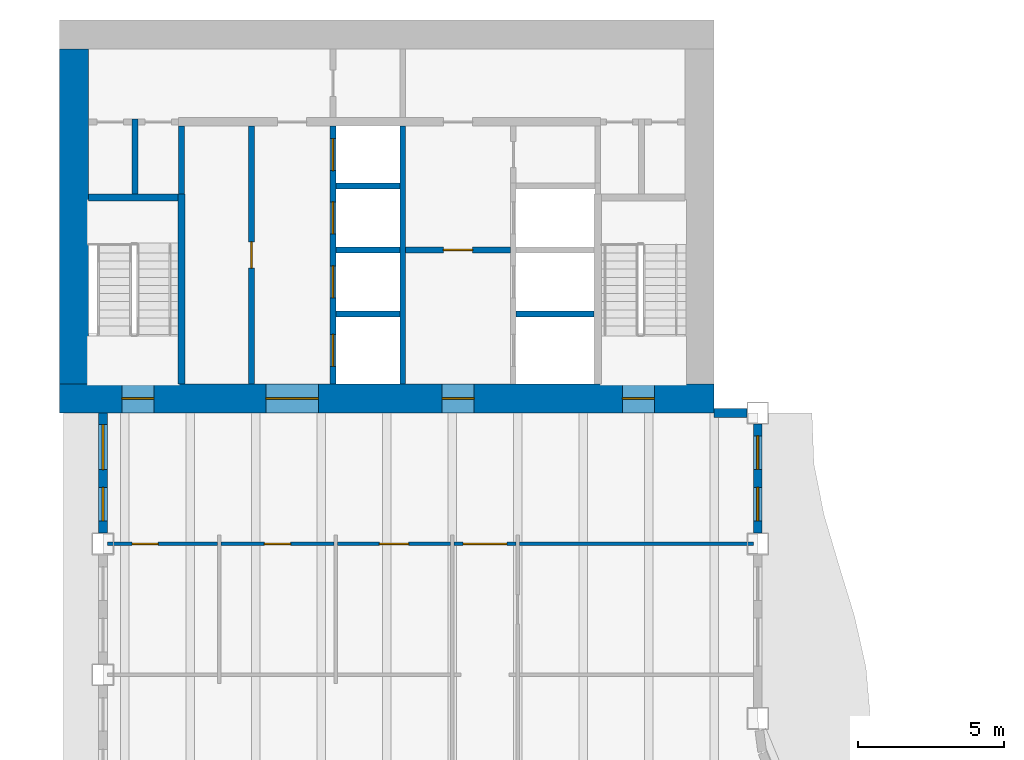
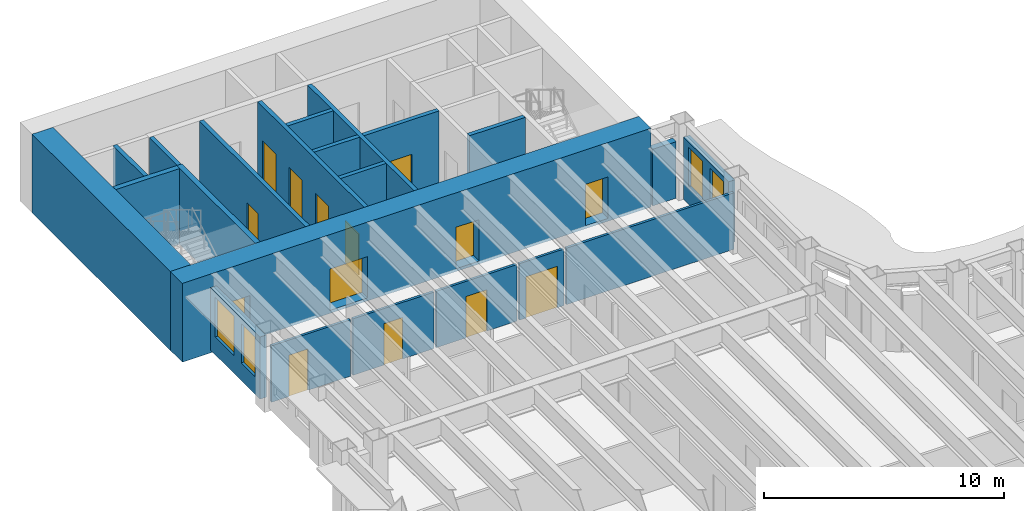
# One storey, part 8 of 16: 22 walls, 14 doors, 4 windows, 18 openings.
"""IFC4 building model written with IfcOpenShell, lengths in metres."""

import ifcopenshell
import ifcopenshell.guid

model = None  # the IFC model being written
_history = None  # IfcOwnerHistory: only IFC2X3 demands one
_inside = {}  # id of a spatial element -> (the spatial element, [elements in it])
_under = {}  # id of a project, library or spatial element -> (it, [spatial elements below it])
_declared = {}  # id of a project -> (the project, [libraries it declares])
_typed = {}  # id of a type object -> (the type object, [elements of that type])
_made_of = {}  # id of a material, layer set ... -> (it, [elements and type objects made of it])


def new_model(schema):
    """Start an empty IFC model of exactly this schema.

    Asked for "IFC4X3", IfcOpenShell would pick the latest addendum, in which some entities
    have other attributes; the version numbers below select the first issue.
    IFC2X3 requires an IfcOwnerHistory on every rooted entity: one is made here for all.
    """
    global model, _history
    if schema == "IFC4X3":
        model = ifcopenshell.file(schema_version=(4, 3, 0, 0))
    else:
        model = ifcopenshell.file(schema=schema)
    _inside.clear()
    _under.clear()
    _declared.clear()
    _typed.clear()
    _made_of.clear()
    _history = None
    if model.schema == "IFC2X3":
        org = make("IfcOrganization", Name="unknown")
        user = make(
            "IfcPersonAndOrganization",
            ThePerson=make("IfcPerson", FamilyName="unknown"),
            TheOrganization=org,
        )
        app = make(
            "IfcApplication",
            ApplicationDeveloper=org,
            Version="unknown",
            ApplicationFullName="unknown",
            ApplicationIdentifier="unknown",
        )
        _history = make(
            "IfcOwnerHistory",
            OwningUser=user,
            OwningApplication=app,
            ChangeAction="ADDED",
            CreationDate=0,
        )
    return model


def make(cls, **values):
    """One entity of the class cls with the attributes given. An attribute that is None is left unset."""
    return model.create_entity(
        cls, **{name: value for name, value in values.items() if value is not None}
    )


def rooted(cls, **values):
    """An entity with a GlobalId (a new one), such as an element, a storey or a relation."""
    return make(cls, GlobalId=ifcopenshell.guid.new(), OwnerHistory=_history, **values)


def si_unit(unit_type, name, prefix=None):
    """IfcSIUnit, for example si_unit("LENGTHUNIT", "METRE", prefix="MILLI")."""
    return make("IfcSIUnit", UnitType=unit_type, Prefix=prefix, Name=name)


def assignment(units):
    """IfcUnitAssignment: the units of a project."""
    return None if units is None else make("IfcUnitAssignment", Units=units)


def point(xyz):
    """IfcCartesianPoint."""
    return None if xyz is None else make("IfcCartesianPoint", Coordinates=xyz)


def direction(xyz):
    """IfcDirection."""
    return None if xyz is None else make("IfcDirection", DirectionRatios=xyz)


def frame(location, z_axis=None, x_axis=None):
    """IfcAxis2Placement3D, a coordinate frame: its origin and axes. An axis left out is left unset."""
    return make(
        "IfcAxis2Placement3D",
        Location=point(location),
        Axis=direction(z_axis),
        RefDirection=direction(x_axis),
    )


def frame_2d(location, x_axis=None):
    """IfcAxis2Placement2D, a coordinate frame in the plane: its origin and x axis."""
    return make(
        "IfcAxis2Placement2D", Location=point(location), RefDirection=direction(x_axis)
    )


def origin():
    """The frame at (0, 0, 0) with its axes left unset."""
    return frame((0.0, 0.0, 0.0))


def place(relative_to, where):
    """IfcLocalPlacement: puts the frame where relative to a parent placement (None: the world)."""
    return make(
        "IfcLocalPlacement", PlacementRelTo=relative_to, RelativePlacement=where
    )


def context(
    kind, dimensions, precision=None, world=None, true_north=None, identifier=None
):
    """IfcGeometricRepresentationContext, for example the 3D "Model" context."""
    return make(
        "IfcGeometricRepresentationContext",
        ContextIdentifier=identifier,
        ContextType=kind,
        CoordinateSpaceDimension=dimensions,
        Precision=precision,
        WorldCoordinateSystem=world,
        TrueNorth=true_north,
    )


def subcontext(parent, identifier, kind, view, scale=None):
    """IfcGeometricRepresentationSubContext, for example "Body" below "Model"."""
    return make(
        "IfcGeometricRepresentationSubContext",
        ContextIdentifier=identifier,
        ContextType=kind,
        ParentContext=parent,
        TargetScale=scale,
        TargetView=view,
    )


def project(units=None, contexts=None):
    """IfcProject with its units and contexts."""
    return rooted(
        "IfcProject",
        Name="project",
        RepresentationContexts=contexts,
        UnitsInContext=assignment(units),
    )


def spatial(cls, under=None, at=None, **own):
    """A site, building, storey or space (cls), placed at a placement, below another one or the project."""
    s = rooted(cls, ObjectPlacement=at, **own)
    if under is not None:
        _under.setdefault(under.id(), (under, []))[1].append(s)
    return s


def profile(cls, at=None, kind="AREA", **sizes):
    """A parametric profile (cls). Its sizes go by their IFC names, for example OverallWidth=200.0."""
    return make(cls, ProfileType=kind, Position=at, **sizes)


def rectangle(**sizes):
    """IfcRectangleProfileDef."""
    return profile("IfcRectangleProfileDef", **sizes)


def extrude(swept, where, along, depth):
    """IfcExtrudedAreaSolid: the profile swept, set in the frame where, extruded along a direction by depth."""
    return make(
        "IfcExtrudedAreaSolid",
        SweptArea=swept,
        Position=where,
        ExtrudedDirection=direction(along),
        Depth=depth,
    )


def shape(context_of_items, identifier, shape_type, items):
    """IfcShapeRepresentation: the items that make up one representation, for example the "Body"."""
    return make(
        "IfcShapeRepresentation",
        ContextOfItems=context_of_items,
        RepresentationIdentifier=identifier,
        RepresentationType=shape_type,
        Items=items,
    )


def material(Name=None, Category=None):
    """IfcMaterial."""
    return make("IfcMaterial", Name=Name, Category=Category)


def layer(
    of_material, thickness, ventilated=None, Name=None, Category=None, Priority=None
):
    """IfcMaterialLayer: one layer of a wall or slab, of a material (None: an air gap)."""
    return make(
        "IfcMaterialLayer",
        Material=of_material,
        LayerThickness=thickness,
        IsVentilated=ventilated,
        Name=Name,
        Category=Category,
        Priority=Priority,
    )


def layer_set(layers, Name=None):
    """IfcMaterialLayerSet."""
    return make("IfcMaterialLayerSet", MaterialLayers=layers, LayerSetName=Name)


def made_of(thing, what):
    """Note that an element or type object is made of a material, layer set ...; save() writes the relation."""
    if what is not None:
        _made_of.setdefault(what.id(), (what, []))[1].append(thing)
    return thing


def type_object(cls, material=None, **own):
    """A type object (cls), such as IfcWallType, which elements share."""
    return made_of(rooted(cls, **own), material)


def element(
    cls,
    number,
    at=None,
    inside=None,
    cuts=None,
    type_object=None,
    material=None,
    context=None,
    identifier="Body",
    shape_type=None,
    held_by="IfcProductDefinitionShape",
    body=None,
    shapes=None,
    **own,
):
    """One element of the class cls, such as IfcWall. Its Tag is "e" and its number.

    at: its placement. inside: the storey or other place that contains it. cuts: it is an
    opening in that element (IfcRelVoidsElement). A single representation is given by context,
    identifier, shape_type and body (its items); several are given by shapes. held_by: the class
    of the entity that holds the representations. save() writes the other relations.
    """
    e = rooted(cls, Tag="e%d" % number, ObjectPlacement=at, **own)
    if body is not None:
        shapes = [shape(context, identifier, shape_type, body)]
    if shapes is not None:
        e.Representation = make(held_by, Representations=shapes)
    if inside is not None:
        _inside.setdefault(inside.id(), (inside, []))[1].append(e)
    if cuts is not None:
        rooted(
            "IfcRelVoidsElement", RelatingBuildingElement=cuts, RelatedOpeningElement=e
        )
    if type_object is not None:
        _typed.setdefault(type_object.id(), (type_object, []))[1].append(e)
    return made_of(e, material)


def fill(opening, filler):
    """IfcRelFillsElement: the door or window that sits in an opening."""
    return rooted(
        "IfcRelFillsElement",
        RelatingOpeningElement=opening,
        RelatedBuildingElement=filler,
    )


def aggregate(whole, parts):
    """IfcRelAggregates: a whole, such as a stair, and the parts it consists of."""
    return rooted("IfcRelAggregates", RelatingObject=whole, RelatedObjects=parts)


def save(model, path):
    """Write the relations noted so far, then the file.

    IfcRelAggregates (storeys below a building ...), IfcRelContainedInSpatialStructure (elements
    in a storey), IfcRelDefinesByType, IfcRelAssociatesMaterial and IfcRelDeclares: one each for
    every whole, place, type object, material and project.
    """
    for whole, parts in _under.values():
        aggregate(whole, parts)
    for where, things in _inside.values():
        rooted(
            "IfcRelContainedInSpatialStructure",
            RelatedElements=things,
            RelatingStructure=where,
        )
    for kind, things in _typed.values():
        rooted("IfcRelDefinesByType", RelatedObjects=things, RelatingType=kind)
    for what, things in _made_of.values():
        rooted("IfcRelAssociatesMaterial", RelatedObjects=things, RelatingMaterial=what)
    for by, libraries in _declared.values():
        rooted("IfcRelDeclares", RelatingContext=by, RelatedDefinitions=libraries)
    model.write(path)


model = new_model("IFC4")

# Units and contexts
model_context = context("Model", 3, precision=1e-05, world=origin(), true_north=direction((0.0, 1.0)))
body_context = subcontext(model_context, "Body", "Model", "MODEL_VIEW")
ifc_project = project(units=[si_unit("LENGTHUNIT", "METRE"), si_unit("AREAUNIT", "SQUARE_METRE"), si_unit("VOLUMEUNIT", "CUBIC_METRE"), si_unit("PLANEANGLEUNIT", "RADIAN"), si_unit("MASSUNIT", "GRAM", prefix="KILO")], contexts=[model_context])

# Site, building, storey
site_placement = place(None, origin())
site = spatial("IfcSite", under=ifc_project, at=site_placement, CompositionType="ELEMENT")
building_placement = place(site_placement, origin())
building = spatial("IfcBuilding", under=site, at=building_placement, Name="Sennacour Bend Tower", CompositionType="ELEMENT")
storey_placement = place(building_placement, frame((0.0, 0.0, 231.0)))
storey = spatial("IfcBuildingStorey", under=building, at=storey_placement, Name="L53", CompositionType="ELEMENT", Elevation=231.0)

# Wall, openings, doors
ifc_material_1 = material(Name="Concrete C60/75", Category="concrete")
ifc_layer_1 = layer(ifc_material_1, 1.0, Name="Concrete C60/75", Category="concrete")
ifc_layer_set_1 = layer_set([ifc_layer_1], Name="Concrete C60/75")
wall_type_1 = type_object("IfcWallType", Name="Core wall 1000 C60/75", PredefinedType="SHEAR", material=ifc_layer_set_1)
wall_1_placement = place(storey_placement, frame((0.0, 36.5, -0.14990234375), z_axis=(0.0, 0.0, 1.0), x_axis=(1.0, 0.0, 0.0)))
wall_1 = element("IfcWall", 1, at=wall_1_placement, inside=storey, type_object=wall_type_1, Name="Core B wall L53 S", PredefinedType="SHEAR", context=body_context, shape_type="SweptSolid", body=[
    extrude(rectangle(XDim=22.5, YDim=1.0, at=frame_2d((11.25, 0.0))), origin(), (0.0, 0.0, 1.0), 4.0),
])
opening_1_placement = place(wall_1_placement, frame((7.10009765625, 0.0, 0.14990234375)))
opening_1 = element("IfcOpeningElement", 2, at=opening_1_placement, cuts=wall_1, Name="Opening CD", PredefinedType="OPENING", context=body_context, shape_type="SweptSolid", body=[
    extrude(rectangle(XDim=1.800048828125, YDim=2.10009765625, at=frame_2d((0.89990234375, 1.050048828125))), frame((0.0, 0.510009765625, 0.0), z_axis=(0.0, -1.0, 0.0), x_axis=(1.0, 0.0, 0.0)), (0.0, 0.0, 1.0), 1.02001953125),
])
opening_2_placement = place(wall_1_placement, frame((13.14990234375, 0.0, 0.14990234375)))
opening_2 = element("IfcOpeningElement", 3, at=opening_2_placement, cuts=wall_1, Name="Opening FD", PredefinedType="OPENING", context=body_context, shape_type="SweptSolid", body=[
    extrude(rectangle(XDim=1.10009765625, YDim=2.10009765625, at=frame_2d((0.550048828125, 1.050048828125))), frame((0.0, 0.510009765625, 0.0), z_axis=(0.0, -1.0, 0.0), x_axis=(1.0, 0.0, 0.0)), (0.0, 0.0, 1.0), 1.02001953125),
])
opening_3_placement = place(wall_1_placement, frame((2.14990234375, 0.0, 0.14990234375)))
opening_3 = element("IfcOpeningElement", 4, at=opening_3_placement, cuts=wall_1, Name="Opening SD", PredefinedType="OPENING", context=body_context, shape_type="SweptSolid", body=[
    extrude(rectangle(XDim=1.10009765625, YDim=2.10009765625, at=frame_2d((0.550048828125, 1.050048828125))), frame((0.0, 0.510009765625, 0.0), z_axis=(0.0, -1.0, 0.0), x_axis=(1.0, 0.0, 0.0)), (0.0, 0.0, 1.0), 1.02001953125),
])
opening_4_placement = place(wall_1_placement, frame((19.35009765625, 0.0, 0.14990234375)))
opening_4 = element("IfcOpeningElement", 5, at=opening_4_placement, cuts=wall_1, Name="Opening SD", PredefinedType="OPENING", context=body_context, shape_type="SweptSolid", body=[
    extrude(rectangle(XDim=1.10009765625, YDim=2.10009765625, at=frame_2d((0.550048828125, 1.050048828125))), frame((0.0, 0.510009765625, 0.0), z_axis=(0.0, -1.0, 0.0), x_axis=(1.0, 0.0, 0.0)), (0.0, 0.0, 1.0), 1.02001953125),
])
ifc_material_2 = material(Name="Painted steel", Category="steel")
door_type_1 = type_object("IfcDoorType", Name="DR-FFL-1100", OperationType="NOTDEFINED", PredefinedType="DOOR", material=ifc_material_2)
door_1_placement = place(opening_2_placement, origin())
door_1 = element("IfcDoor", 6, at=door_1_placement, inside=storey, type_object=door_type_1, Name="Door", OperationType="SINGLE_SWING_RIGHT", OverallHeight=2.10009765625, OverallWidth=1.10009765625, PredefinedType="DOOR", context=body_context, shape_type="SweptSolid", body=[
    extrude(rectangle(XDim=1.10009765625, YDim=2.10009765625, at=frame_2d((0.550048828125, 1.050048828125))), frame((0.0, 0.02490234375, 0.0), z_axis=(0.0, -1.0, 0.0), x_axis=(1.0, 0.0, 0.0)), (0.0, 0.0, 1.0), 0.050048828125),
])
fill(opening_2, door_1)
door_type_2 = type_object("IfcDoorType", Name="DR-LOBBY-1800", OperationType="NOTDEFINED", PredefinedType="DOOR", material=ifc_material_2)
door_2_placement = place(opening_1_placement, origin())
door_2 = element("IfcDoor", 7, at=door_2_placement, inside=storey, type_object=door_type_2, Name="Door", OperationType="DOUBLE_DOOR_SINGLE_SWING", OverallHeight=2.10009765625, OverallWidth=1.800048828125, PredefinedType="DOOR", context=body_context, shape_type="SweptSolid", body=[
    extrude(rectangle(XDim=1.800048828125, YDim=2.10009765625, at=frame_2d((0.89990234375, 1.050048828125))), frame((0.0, 0.02490234375, 0.0), z_axis=(0.0, -1.0, 0.0), x_axis=(1.0, 0.0, 0.0)), (0.0, 0.0, 1.0), 0.050048828125),
])
fill(opening_1, door_2)
door_type_3 = type_object("IfcDoorType", Name="DR-STAIR-1100", OperationType="NOTDEFINED", PredefinedType="DOOR", material=ifc_material_2)
door_3_placement = place(opening_3_placement, origin())
door_3 = element("IfcDoor", 8, at=door_3_placement, inside=storey, type_object=door_type_3, Name="Door", OperationType="SINGLE_SWING_LEFT", OverallHeight=2.10009765625, OverallWidth=1.10009765625, PredefinedType="DOOR", context=body_context, shape_type="SweptSolid", body=[
    extrude(rectangle(XDim=1.10009765625, YDim=2.10009765625, at=frame_2d((0.550048828125, 1.050048828125))), frame((0.0, 0.02490234375, 0.0), z_axis=(0.0, -1.0, 0.0), x_axis=(1.0, 0.0, 0.0)), (0.0, 0.0, 1.0), 0.050048828125),
])
fill(opening_3, door_3)
door_4_placement = place(opening_4_placement, origin())
door_4 = element("IfcDoor", 9, at=door_4_placement, inside=storey, type_object=door_type_3, Name="Door", OperationType="SINGLE_SWING_RIGHT", OverallHeight=2.10009765625, OverallWidth=1.10009765625, PredefinedType="DOOR", context=body_context, shape_type="SweptSolid", body=[
    extrude(rectangle(XDim=1.10009765625, YDim=2.10009765625, at=frame_2d((0.550048828125, 1.050048828125))), frame((0.0, 0.02490234375, 0.0), z_axis=(0.0, -1.0, 0.0), x_axis=(1.0, 0.0, 0.0)), (0.0, 0.0, 1.0), 0.050048828125),
])
fill(opening_4, door_4)

# Wall
wall_2_placement = place(storey_placement, frame((0.5, 37.0, -0.14990234375), z_axis=(0.0, 0.0, 1.0), x_axis=(0.0, 1.0, 0.0)))
element("IfcWall", 10, at=wall_2_placement, inside=storey, type_object=wall_type_1, Name="Core B wall L53 W", PredefinedType="SHEAR", context=body_context, shape_type="SweptSolid", body=[
    extrude(rectangle(XDim=11.5, YDim=1.0, at=frame_2d((5.75, 0.0))), origin(), (0.0, 0.0, 1.0), 4.0),
])

# Wall, opening, door
ifc_material_3 = material(Name="Plasterboard partition on steel studs", Category="steel")
ifc_layer_2 = layer(ifc_material_3, 0.1201171875, Name="Plasterboard partition on steel studs", Category="steel")
ifc_layer_set_2 = layer_set([ifc_layer_2], Name="Plasterboard partition on steel studs")
wall_type_2 = type_object("IfcWallType", Name="Partition 120", PredefinedType="PARTITIONING", material=ifc_layer_set_2)
wall_3_placement = place(storey_placement, frame((1.64990234375, 31.5, 0.0), z_axis=(0.0, 0.0, 1.0), x_axis=(1.0, 0.0, 0.0)))
wall_3 = element("IfcWall", 11, at=wall_3_placement, inside=storey, type_object=wall_type_2, Name="P-L53-W082aa", PredefinedType="PARTITIONING", context=body_context, shape_type="SweptSolid", body=[
    extrude(rectangle(XDim=3.7900390625, YDim=0.1201171875, at=frame_2d((1.89501953125, 0.0))), origin(), (0.0, 0.0, 1.0), 2.8701171875),
])
opening_5_placement = place(wall_3_placement, frame((0.85009765625, 0.0, 0.0)))
opening_5 = element("IfcOpeningElement", 12, at=opening_5_placement, cuts=wall_3, Name="Opening WD", PredefinedType="OPENING", context=body_context, shape_type="SweptSolid", body=[
    extrude(rectangle(XDim=0.89990234375, YDim=2.10009765625, at=frame_2d((0.449951171875, 1.050048828125))), frame((0.0, 0.070068359375, 0.0), z_axis=(0.0, -1.0, 0.0), x_axis=(1.0, 0.0, 0.0)), (0.0, 0.0, 1.0), 0.14013671875),
])
ifc_material_4 = material(Name="Timber", Category="wood")
door_type_4 = type_object("IfcDoorType", Name="DR-WC-900", OperationType="NOTDEFINED", PredefinedType="DOOR", material=ifc_material_4)
door_5_placement = place(opening_5_placement, origin())
door_5 = element("IfcDoor", 13, at=door_5_placement, inside=storey, type_object=door_type_4, Name="Door", OperationType="SINGLE_SWING_LEFT", OverallHeight=2.10009765625, OverallWidth=0.89990234375, PredefinedType="DOOR", context=body_context, shape_type="SweptSolid", body=[
    extrude(rectangle(XDim=0.89990234375, YDim=2.10009765625, at=frame_2d((0.449951171875, 1.050048828125))), frame((0.0, 0.02490234375, 0.0), z_axis=(0.0, -1.0, 0.0), x_axis=(1.0, 0.0, 0.0)), (0.0, 0.0, 1.0), 0.050048828125),
])
fill(opening_5, door_5)

wall_4_placement = place(storey_placement, frame((5.56005859375, 31.5, 0.0), z_axis=(0.0, 0.0, 1.0), x_axis=(1.0, 0.0, 0.0)))
wall_4 = element("IfcWall", 14, at=wall_4_placement, inside=storey, type_object=wall_type_2, Name="P-L53-W082ab", PredefinedType="PARTITIONING", context=body_context, shape_type="SweptSolid", body=[
    extrude(rectangle(XDim=3.8798828125, YDim=0.1201171875, at=frame_2d((1.93994140625, 0.0))), origin(), (0.0, 0.0, 1.0), 2.8701171875),
])
opening_6_placement = place(wall_4_placement, frame((1.489990234375, 0.0, 0.0)))
opening_6 = element("IfcOpeningElement", 15, at=opening_6_placement, cuts=wall_4, Name="Opening WD", PredefinedType="OPENING", context=body_context, shape_type="SweptSolid", body=[
    extrude(rectangle(XDim=0.89990234375, YDim=2.10009765625, at=frame_2d((0.449951171875, 1.050048828125))), frame((0.0, 0.070068359375, 0.0), z_axis=(0.0, -1.0, 0.0), x_axis=(1.0, 0.0, 0.0)), (0.0, 0.0, 1.0), 0.14013671875),
])
door_6_placement = place(opening_6_placement, origin())
door_6 = element("IfcDoor", 16, at=door_6_placement, inside=storey, type_object=door_type_4, Name="Door", OperationType="SINGLE_SWING_LEFT", OverallHeight=2.10009765625, OverallWidth=0.89990234375, PredefinedType="DOOR", context=body_context, shape_type="SweptSolid", body=[
    extrude(rectangle(XDim=0.89990234375, YDim=2.10009765625, at=frame_2d((0.449951171875, 1.050048828125))), frame((0.0, 0.02490234375, 0.0), z_axis=(0.0, -1.0, 0.0), x_axis=(1.0, 0.0, 0.0)), (0.0, 0.0, 1.0), 0.050048828125),
])
fill(opening_6, door_6)

wall_5_placement = place(storey_placement, frame((9.56005859375, 31.5, 0.0), z_axis=(0.0, 0.0, 1.0), x_axis=(1.0, 0.0, 0.0)))
wall_5 = element("IfcWall", 17, at=wall_5_placement, inside=storey, type_object=wall_type_2, Name="P-L53-W082ac", PredefinedType="PARTITIONING", context=body_context, shape_type="SweptSolid", body=[
    extrude(rectangle(XDim=3.8798828125, YDim=0.1201171875, at=frame_2d((1.93994140625, 0.0))), origin(), (0.0, 0.0, 1.0), 2.8701171875),
])
opening_7_placement = place(wall_5_placement, frame((1.43994140625, 0.0, 0.0)))
opening_7 = element("IfcOpeningElement", 18, at=opening_7_placement, cuts=wall_5, Name="Opening AD", PredefinedType="OPENING", context=body_context, shape_type="SweptSolid", body=[
    extrude(rectangle(XDim=1.0, YDim=2.10009765625, at=frame_2d((0.5, 1.050048828125))), frame((0.0, 0.070068359375, 0.0), z_axis=(0.0, -1.0, 0.0), x_axis=(1.0, 0.0, 0.0)), (0.0, 0.0, 1.0), 0.14013671875),
])
door_type_5 = type_object("IfcDoorType", Name="DR-ACC-WC-1000", OperationType="NOTDEFINED", PredefinedType="DOOR", material=ifc_material_4)
door_7_placement = place(opening_7_placement, origin())
door_7 = element("IfcDoor", 19, at=door_7_placement, inside=storey, type_object=door_type_5, Name="Door", OperationType="SINGLE_SWING_LEFT", OverallHeight=2.10009765625, OverallWidth=1.0, PredefinedType="DOOR", context=body_context, shape_type="SweptSolid", body=[
    extrude(rectangle(XDim=1.0, YDim=2.10009765625, at=frame_2d((0.5, 1.050048828125))), frame((0.0, 0.02490234375, 0.0), z_axis=(0.0, -1.0, 0.0), x_axis=(1.0, 0.0, 0.0)), (0.0, 0.0, 1.0), 0.050048828125),
])
fill(opening_7, door_7)

# Wall
wall_6_placement = place(storey_placement, frame((15.81005859375, 31.5, 0.0), z_axis=(0.0, 0.0, 1.0), x_axis=(1.0, 0.0, 0.0)))
element("IfcWall", 20, at=wall_6_placement, inside=storey, type_object=wall_type_2, Name="P-L53-W082ae", PredefinedType="PARTITIONING", context=body_context, shape_type="SweptSolid", body=[
    extrude(rectangle(XDim=8.0400390625, YDim=0.1201171875, at=frame_2d((4.02001953125, 0.0))), origin(), (0.0, 0.0, 1.0), 2.8701171875),
])

# Wall, opening, door
ifc_layer_3 = layer(ifc_material_3, 0.1201171875, Name="Plasterboard partition on steel studs", Category="steel")
ifc_layer_set_3 = layer_set([ifc_layer_3], Name="Plasterboard partition on steel studs")
wall_type_3 = type_object("IfcWallType", Name="Partition 120 EI 30", PredefinedType="PARTITIONING", material=ifc_layer_set_3)
wall_7_placement = place(storey_placement, frame((13.56005859375, 31.5, 0.0), z_axis=(0.0, 0.0, 1.0), x_axis=(1.0, 0.0, 0.0)))
wall_7 = element("IfcWall", 21, at=wall_7_placement, inside=storey, type_object=wall_type_3, Name="P-L53-W082ad", PredefinedType="PARTITIONING", context=body_context, shape_type="SweptSolid", body=[
    extrude(rectangle(XDim=2.1298828125, YDim=0.1201171875, at=frame_2d((1.06494140625, 0.0))), origin(), (0.0, 0.0, 1.0), 2.8701171875),
])
opening_8_placement = place(wall_7_placement, frame((0.31494140625, 0.0, 0.0)))
opening_8 = element("IfcOpeningElement", 22, at=opening_8_placement, cuts=wall_7, Name="Opening KD", PredefinedType="OPENING", context=body_context, shape_type="SweptSolid", body=[
    extrude(rectangle(XDim=1.5, YDim=2.10009765625, at=frame_2d((0.75, 1.050048828125))), frame((0.0, 0.070068359375, 0.0), z_axis=(0.0, -1.0, 0.0), x_axis=(1.0, 0.0, 0.0)), (0.0, 0.0, 1.0), 0.14013671875),
])
door_type_6 = type_object("IfcDoorType", Name="DR-CORRIDOR-1500", OperationType="NOTDEFINED", PredefinedType="DOOR", material=ifc_material_2)
door_8_placement = place(opening_8_placement, origin())
door_8 = element("IfcDoor", 23, at=door_8_placement, inside=storey, type_object=door_type_6, Name="Door", OperationType="SINGLE_SWING_LEFT", OverallHeight=2.10009765625, OverallWidth=1.5, PredefinedType="DOOR", context=body_context, shape_type="SweptSolid", body=[
    extrude(rectangle(XDim=1.5, YDim=2.10009765625, at=frame_2d((0.75, 1.050048828125))), frame((0.0, 0.02490234375, 0.0), z_axis=(0.0, -1.0, 0.0), x_axis=(1.0, 0.0, 0.0)), (0.0, 0.0, 1.0), 0.050048828125),
])
fill(opening_8, door_8)

# Walls
ifc_material_5 = material(Name="Fire-rated plasterboard partition on steel studs", Category="steel")
ifc_layer_4 = layer(ifc_material_5, 0.199951171875, Name="Fire-rated plasterboard partition on steel studs", Category="steel")
ifc_layer_set_4 = layer_set([ifc_layer_4], Name="Fire-rated plasterboard partition on steel studs")
wall_type_4 = type_object("IfcWallType", Name="Rated partition 200", PredefinedType="PARTITIONING", material=ifc_layer_set_4)
wall_8_placement = place(storey_placement, frame((2.60009765625, 43.52490234375, 0.0), z_axis=(0.0, 0.0, 1.0), x_axis=(0.0, 1.0, 0.0)))
element("IfcWall", 24, at=wall_8_placement, inside=storey, type_object=wall_type_4, Name="P-L53-W004", PredefinedType="PARTITIONING", context=body_context, shape_type="SweptSolid", body=[
    extrude(rectangle(XDim=2.5751953125, YDim=0.199951171875, at=frame_2d((1.28759765625, 0.0))), origin(), (0.0, 0.0, 1.0), 3.85009765625),
])
wall_9_placement = place(storey_placement, frame((4.199951171875, 43.52490234375, 0.0), z_axis=(0.0, 0.0, 1.0), x_axis=(0.0, 1.0, 0.0)))
element("IfcWall", 25, at=wall_9_placement, inside=storey, type_object=wall_type_4, Name="P-L53-W006", PredefinedType="PARTITIONING", context=body_context, shape_type="SweptSolid", body=[
    extrude(rectangle(XDim=2.3251953125, YDim=0.199951171875, at=frame_2d((1.16259765625, 0.0))), origin(), (0.0, 0.0, 1.0), 3.85009765625),
])

# Wall, opening, door
wall_10_placement = place(storey_placement, frame((6.60009765625, 37.0, 0.0), z_axis=(0.0, 0.0, 1.0), x_axis=(0.0, 1.0, 0.0)))
wall_10 = element("IfcWall", 26, at=wall_10_placement, inside=storey, type_object=wall_type_4, Name="P-L53-W008", PredefinedType="PARTITIONING", context=body_context, shape_type="SweptSolid", body=[
    extrude(rectangle(XDim=8.85009765625, YDim=0.199951171875, at=frame_2d((4.425048828125, 0.0))), origin(), (0.0, 0.0, 1.0), 3.85009765625),
])
opening_9_placement = place(wall_10_placement, frame((3.97509765625, 0.0, 0.0)))
opening_9 = element("IfcOpeningElement", 27, at=opening_9_placement, cuts=wall_10, Name="Opening SV", PredefinedType="OPENING", context=body_context, shape_type="SweptSolid", body=[
    extrude(rectangle(XDim=0.89990234375, YDim=2.10009765625, at=frame_2d((0.449951171875, 1.050048828125))), frame((0.0, 0.10986328125, 0.0), z_axis=(0.0, -1.0, 0.0), x_axis=(1.0, 0.0, 0.0)), (0.0, 0.0, 1.0), 0.219970703125),
])
door_type_7 = type_object("IfcDoorType", Name="DR-SERVICE-900", OperationType="NOTDEFINED", PredefinedType="DOOR", material=ifc_material_2)
door_9_placement = place(opening_9_placement, origin())
door_9 = element("IfcDoor", 28, at=door_9_placement, inside=storey, type_object=door_type_7, Name="Door", OperationType="SINGLE_SWING_LEFT", OverallHeight=2.10009765625, OverallWidth=0.89990234375, PredefinedType="DOOR", context=body_context, shape_type="SweptSolid", body=[
    extrude(rectangle(XDim=0.89990234375, YDim=2.10009765625, at=frame_2d((0.449951171875, 1.050048828125))), frame((0.0, 0.02490234375, 0.0), z_axis=(0.0, -1.0, 0.0), x_axis=(1.0, 0.0, 0.0)), (0.0, 0.0, 1.0), 0.050048828125),
])
fill(opening_9, door_9)

ifc_layer_5 = layer(ifc_material_5, 0.199951171875, Name="Fire-rated plasterboard partition on steel studs", Category="steel")
ifc_layer_set_5 = layer_set([ifc_layer_5], Name="Fire-rated plasterboard partition on steel studs")
wall_type_5 = type_object("IfcWallType", Name="Rated partition 200 EI 90", PredefinedType="PARTITIONING", material=ifc_layer_set_5)
wall_11_placement = place(storey_placement, frame((11.89990234375, 41.60009765625, 0.0), z_axis=(0.0, 0.0, 1.0), x_axis=(1.0, 0.0, 0.0)))
wall_11 = element("IfcWall", 29, at=wall_11_placement, inside=storey, type_object=wall_type_5, Name="P-L53-W087", PredefinedType="PARTITIONING", context=body_context, shape_type="SweptSolid", body=[
    extrude(rectangle(XDim=3.60009765625, YDim=0.199951171875, at=frame_2d((1.800048828125, 0.0))), origin(), (0.0, 0.0, 1.0), 3.85009765625),
])
opening_10_placement = place(wall_11_placement, frame((1.300048828125, 0.0, 0.0)))
opening_10 = element("IfcOpeningElement", 30, at=opening_10_placement, cuts=wall_11, Name="Opening FD2", PredefinedType="OPENING", context=body_context, shape_type="SweptSolid", body=[
    extrude(rectangle(XDim=1.0, YDim=2.10009765625, at=frame_2d((0.5, 1.050048828125))), frame((0.0, 0.10986328125, 0.0), z_axis=(0.0, -1.0, 0.0), x_axis=(1.0, 0.0, 0.0)), (0.0, 0.0, 1.0), 0.219970703125),
])
door_type_8 = type_object("IfcDoorType", Name="DR-FFL-1000", OperationType="NOTDEFINED", PredefinedType="DOOR", material=ifc_material_2)
door_10_placement = place(opening_10_placement, origin())
door_10 = element("IfcDoor", 31, at=door_10_placement, inside=storey, type_object=door_type_8, Name="Door", OperationType="SINGLE_SWING_RIGHT", OverallHeight=2.10009765625, OverallWidth=1.0, PredefinedType="DOOR", context=body_context, shape_type="SweptSolid", body=[
    extrude(rectangle(XDim=1.0, YDim=2.10009765625, at=frame_2d((0.5, 1.050048828125))), frame((0.0, 0.02490234375, 0.0), z_axis=(0.0, -1.0, 0.0), x_axis=(1.0, 0.0, 0.0)), (0.0, 0.0, 1.0), 0.050048828125),
])
fill(opening_10, door_10)

# Wall, openings, windows
ifc_material_6 = material(Name="Warm limestone cladding", Category="masonry")
ifc_layer_6 = layer(ifc_material_6, 0.050048828125, Name="Warm limestone cladding", Category="masonry")
ifc_material_7 = material(Name="Precast concrete C40/50", Category="concrete")
ifc_layer_7 = layer(ifc_material_7, 0.25, Name="Precast concrete C40/50", Category="concrete")
ifc_layer_set_6 = layer_set([ifc_layer_6, ifc_layer_7], Name="Precast concrete C40/50 with limestone cladding")
wall_type_6 = type_object("IfcWallType", Name="STONE-CLAD PRECAST SPANDREL 300", PredefinedType="STANDARD", material=ifc_layer_set_6)
wall_12_placement = place(storey_placement, frame((24.0, 31.875, 0.0), z_axis=(0.0, 0.0, 1.0), x_axis=(0.0, 1.0, 0.0)))
wall_12 = element("IfcWall", 32, at=wall_12_placement, inside=storey, type_object=wall_type_6, Name="Stone spandrel and pier wall L53 13.01", PredefinedType="STANDARD", context=body_context, shape_type="SweptSolid", body=[
    extrude(rectangle(XDim=3.75, YDim=0.300048828125, at=frame_2d((1.875, 0.0))), origin(), (0.0, 0.0, 1.0), 3.156982421875),
])
opening_11_placement = place(wall_12_placement, frame((0.41259765625, 0.0, 0.89990234375)))
opening_11 = element("IfcOpeningElement", 33, at=opening_11_placement, cuts=wall_12, Name="Opening W24", PredefinedType="OPENING", context=body_context, shape_type="SweptSolid", body=[
    extrude(rectangle(XDim=1.14990234375, YDim=2.0, at=frame_2d((0.574951171875, 1.0))), frame((0.0, 0.16015625, 0.0), z_axis=(0.0, -1.0, 0.0), x_axis=(1.0, 0.0, 0.0)), (0.0, 0.0, 1.0), 0.320068359375),
])
opening_12_placement = place(wall_12_placement, frame((2.1875, 0.0, 0.89990234375)))
opening_12 = element("IfcOpeningElement", 34, at=opening_12_placement, cuts=wall_12, Name="Opening W24", PredefinedType="OPENING", context=body_context, shape_type="SweptSolid", body=[
    extrude(rectangle(XDim=1.14990234375, YDim=2.0, at=frame_2d((0.574951171875, 1.0))), frame((0.0, 0.16015625, 0.0), z_axis=(0.0, -1.0, 0.0), x_axis=(1.0, 0.0, 0.0)), (0.0, 0.0, 1.0), 0.320068359375),
])
ifc_material_8 = material(Name="Clear low-emissivity glass", Category="glass")
window_type_1 = type_object("IfcWindowType", Name="WIN-RIBBON-1150x2000", PartitioningType="SINGLE_PANEL", PredefinedType="WINDOW", material=ifc_material_8)
window_1_placement = place(opening_11_placement, origin())
window_1 = element("IfcWindow", 35, at=window_1_placement, inside=storey, type_object=window_type_1, Name="Ribbon window L53 13.01.0", OverallHeight=2.0, OverallWidth=1.14990234375, PartitioningType="SINGLE_PANEL", PredefinedType="WINDOW", context=body_context, shape_type="SweptSolid", body=[
    extrude(rectangle(XDim=1.14990234375, YDim=2.0, at=frame_2d((0.574951171875, 1.0))), frame((0.0, 0.030029296875, 0.0), z_axis=(0.0, -1.0, 0.0), x_axis=(1.0, 0.0, 0.0)), (0.0, 0.0, 1.0), 0.06005859375),
])
fill(opening_11, window_1)
window_2_placement = place(opening_12_placement, origin())
window_2 = element("IfcWindow", 36, at=window_2_placement, inside=storey, type_object=window_type_1, Name="Ribbon window L53 13.01.1", OverallHeight=2.0, OverallWidth=1.14990234375, PartitioningType="SINGLE_PANEL", PredefinedType="WINDOW", context=body_context, shape_type="SweptSolid", body=[
    extrude(rectangle(XDim=1.14990234375, YDim=2.0, at=frame_2d((0.574951171875, 1.0))), frame((0.0, 0.030029296875, 0.0), z_axis=(0.0, -1.0, 0.0), x_axis=(1.0, 0.0, 0.0)), (0.0, 0.0, 1.0), 0.06005859375),
])
fill(opening_12, window_2)

# Wall
wall_13_placement = place(storey_placement, frame((23.625, 36.0, 0.0), z_axis=(0.0, 0.0, 1.0), x_axis=(-1.0, 0.0, 0.0)))
element("IfcWall", 37, at=wall_13_placement, inside=storey, type_object=wall_type_6, Name="Stone spandrel and pier wall L53 14.00", PredefinedType="STANDARD", context=body_context, shape_type="SweptSolid", body=[
    extrude(rectangle(XDim=1.125, YDim=0.300048828125, at=frame_2d((0.5625, 0.0))), origin(), (0.0, 0.0, 1.0), 2.8701171875),
])

# Wall, openings, windows
wall_14_placement = place(storey_placement, frame((1.5, 36.0, 0.0), z_axis=(0.0, 0.0, 1.0), x_axis=(0.0, -1.0, 0.0)))
wall_14 = element("IfcWall", 38, at=wall_14_placement, inside=storey, type_object=wall_type_6, Name="Stone spandrel and pier wall L53 19.00", PredefinedType="STANDARD", context=body_context, shape_type="SweptSolid", body=[
    extrude(rectangle(XDim=4.125, YDim=0.300048828125, at=frame_2d((2.0625, 0.0))), origin(), (0.0, 0.0, 1.0), 3.156982421875),
])
opening_13_placement = place(wall_14_placement, frame((0.39990234375, 0.0, 0.89990234375)))
opening_13 = element("IfcOpeningElement", 39, at=opening_13_placement, cuts=wall_14, Name="Opening W9", PredefinedType="OPENING", context=body_context, shape_type="SweptSolid", body=[
    extrude(rectangle(XDim=1.550048828125, YDim=2.0, at=frame_2d((0.77490234375, 1.0))), frame((0.0, 0.16015625, 0.0), z_axis=(0.0, -1.0, 0.0), x_axis=(1.0, 0.0, 0.0)), (0.0, 0.0, 1.0), 0.320068359375),
])
opening_14_placement = place(wall_14_placement, frame((2.5625, 0.0, 0.89990234375)))
opening_14 = element("IfcOpeningElement", 40, at=opening_14_placement, cuts=wall_14, Name="Opening W24", PredefinedType="OPENING", context=body_context, shape_type="SweptSolid", body=[
    extrude(rectangle(XDim=1.14990234375, YDim=2.0, at=frame_2d((0.574951171875, 1.0))), frame((0.0, 0.16015625, 0.0), z_axis=(0.0, -1.0, 0.0), x_axis=(1.0, 0.0, 0.0)), (0.0, 0.0, 1.0), 0.320068359375),
])
window_3_placement = place(opening_14_placement, origin())
window_3 = element("IfcWindow", 41, at=window_3_placement, inside=storey, type_object=window_type_1, Name="Ribbon window L53 19.00.1", OverallHeight=2.0, OverallWidth=1.14990234375, PartitioningType="SINGLE_PANEL", PredefinedType="WINDOW", context=body_context, shape_type="SweptSolid", body=[
    extrude(rectangle(XDim=1.14990234375, YDim=2.0, at=frame_2d((0.574951171875, 1.0))), frame((0.0, 0.030029296875, 0.0), z_axis=(0.0, -1.0, 0.0), x_axis=(1.0, 0.0, 0.0)), (0.0, 0.0, 1.0), 0.06005859375),
])
fill(opening_14, window_3)
window_type_2 = type_object("IfcWindowType", Name="WIN-RIBBON-1550x2000", PartitioningType="SINGLE_PANEL", PredefinedType="WINDOW", material=ifc_material_8)
window_4_placement = place(opening_13_placement, origin())
window_4 = element("IfcWindow", 42, at=window_4_placement, inside=storey, type_object=window_type_2, Name="Ribbon window L53 19.00.0", OverallHeight=2.0, OverallWidth=1.550048828125, PartitioningType="SINGLE_PANEL", PredefinedType="WINDOW", context=body_context, shape_type="SweptSolid", body=[
    extrude(rectangle(XDim=1.550048828125, YDim=2.0, at=frame_2d((0.77490234375, 1.0))), frame((0.0, 0.030029296875, 0.0), z_axis=(0.0, -1.0, 0.0), x_axis=(1.0, 0.0, 0.0)), (0.0, 0.0, 1.0), 0.06005859375),
])
fill(opening_13, window_4)

# Wall, openings, doors
ifc_material_9 = material(Name="Concrete C50/60", Category="concrete")
ifc_layer_8 = layer(ifc_material_9, 0.199951171875, Name="Concrete C50/60", Category="concrete")
ifc_layer_set_7 = layer_set([ifc_layer_8], Name="Concrete C50/60")
wall_type_7 = type_object("IfcWallType", Name="Shaft wall 200", PredefinedType="SOLIDWALL", material=ifc_layer_set_7)
wall_15_placement = place(storey_placement, frame((9.39990234375, 37.0, 0.0), z_axis=(0.0, 0.0, 1.0), x_axis=(0.0, 1.0, 0.0)))
wall_15 = element("IfcWall", 43, at=wall_15_placement, inside=storey, type_object=wall_type_7, Name="P-L53-W010", PredefinedType="SOLIDWALL", context=body_context, shape_type="SweptSolid", body=[
    extrude(rectangle(XDim=8.85009765625, YDim=0.199951171875, at=frame_2d((4.425048828125, 0.0))), origin(), (0.0, 0.0, 1.0), 3.85009765625),
])
opening_15_placement = place(wall_15_placement, frame((0.60009765625, 0.0, 0.011962890625)))
opening_15 = element("IfcOpeningElement", 44, at=opening_15_placement, cuts=wall_15, Name="Opening LD", PredefinedType="OPENING", context=body_context, shape_type="SweptSolid", body=[
    extrude(rectangle(XDim=1.10009765625, YDim=2.10009765625, at=frame_2d((0.550048828125, 1.050048828125))), frame((0.0, 0.10986328125, 0.0), z_axis=(0.0, -1.0, 0.0), x_axis=(1.0, 0.0, 0.0)), (0.0, 0.0, 1.0), 0.219970703125),
])
opening_16_placement = place(wall_15_placement, frame((2.949951171875, 0.0, 0.011962890625)))
opening_16 = element("IfcOpeningElement", 45, at=opening_16_placement, cuts=wall_15, Name="Opening LD", PredefinedType="OPENING", context=body_context, shape_type="SweptSolid", body=[
    extrude(rectangle(XDim=1.10009765625, YDim=2.10009765625, at=frame_2d((0.550048828125, 1.050048828125))), frame((0.0, 0.10986328125, 0.0), z_axis=(0.0, -1.0, 0.0), x_axis=(1.0, 0.0, 0.0)), (0.0, 0.0, 1.0), 0.219970703125),
])
opening_17_placement = place(wall_15_placement, frame((5.14990234375, 0.0, 0.011962890625)))
opening_17 = element("IfcOpeningElement", 46, at=opening_17_placement, cuts=wall_15, Name="Opening LD", PredefinedType="OPENING", context=body_context, shape_type="SweptSolid", body=[
    extrude(rectangle(XDim=1.10009765625, YDim=2.10009765625, at=frame_2d((0.550048828125, 1.050048828125))), frame((0.0, 0.10986328125, 0.0), z_axis=(0.0, -1.0, 0.0), x_axis=(1.0, 0.0, 0.0)), (0.0, 0.0, 1.0), 0.219970703125),
])
opening_18_placement = place(wall_15_placement, frame((7.324951171875, 0.0, 0.011962890625)))
opening_18 = element("IfcOpeningElement", 47, at=opening_18_placement, cuts=wall_15, Name="Opening LD", PredefinedType="OPENING", context=body_context, shape_type="SweptSolid", body=[
    extrude(rectangle(XDim=1.10009765625, YDim=2.10009765625, at=frame_2d((0.550048828125, 1.050048828125))), frame((0.0, 0.10986328125, 0.0), z_axis=(0.0, -1.0, 0.0), x_axis=(1.0, 0.0, 0.0)), (0.0, 0.0, 1.0), 0.219970703125),
])
ifc_material_10 = material(Name="Stainless steel", Category="steel")
door_type_9 = type_object("IfcDoorType", Name="DR-LANDING-1100", OperationType="NOTDEFINED", PredefinedType="DOOR", material=ifc_material_10)
door_11_placement = place(opening_15_placement, origin())
door_11 = element("IfcDoor", 48, at=door_11_placement, inside=storey, type_object=door_type_9, Name="Lift landing door MB1", OperationType="SLIDING_TO_RIGHT", OverallHeight=2.10009765625, OverallWidth=1.10009765625, PredefinedType="DOOR", context=body_context, shape_type="SweptSolid", body=[
    extrude(rectangle(XDim=1.10009765625, YDim=2.10009765625, at=frame_2d((0.550048828125, 1.050048828125))), frame((0.0, 0.02490234375, 0.0), z_axis=(0.0, -1.0, 0.0), x_axis=(1.0, 0.0, 0.0)), (0.0, 0.0, 1.0), 0.050048828125),
])
fill(opening_15, door_11)
door_12_placement = place(opening_16_placement, origin())
door_12 = element("IfcDoor", 49, at=door_12_placement, inside=storey, type_object=door_type_9, Name="Lift landing door MB2", OperationType="SLIDING_TO_LEFT", OverallHeight=2.10009765625, OverallWidth=1.10009765625, PredefinedType="DOOR", context=body_context, shape_type="SweptSolid", body=[
    extrude(rectangle(XDim=1.10009765625, YDim=2.10009765625, at=frame_2d((0.550048828125, 1.050048828125))), frame((0.0, 0.02490234375, 0.0), z_axis=(0.0, -1.0, 0.0), x_axis=(1.0, 0.0, 0.0)), (0.0, 0.0, 1.0), 0.050048828125),
])
fill(opening_16, door_12)
door_13_placement = place(opening_17_placement, origin())
door_13 = element("IfcDoor", 50, at=door_13_placement, inside=storey, type_object=door_type_9, Name="Lift landing door MB3", OperationType="SLIDING_TO_RIGHT", OverallHeight=2.10009765625, OverallWidth=1.10009765625, PredefinedType="DOOR", context=body_context, shape_type="SweptSolid", body=[
    extrude(rectangle(XDim=1.10009765625, YDim=2.10009765625, at=frame_2d((0.550048828125, 1.050048828125))), frame((0.0, 0.02490234375, 0.0), z_axis=(0.0, -1.0, 0.0), x_axis=(1.0, 0.0, 0.0)), (0.0, 0.0, 1.0), 0.050048828125),
])
fill(opening_17, door_13)
door_14_placement = place(opening_18_placement, origin())
door_14 = element("IfcDoor", 51, at=door_14_placement, inside=storey, type_object=door_type_9, Name="Lift landing door MB4", OperationType="SLIDING_TO_LEFT", OverallHeight=2.10009765625, OverallWidth=1.10009765625, PredefinedType="DOOR", context=body_context, shape_type="SweptSolid", body=[
    extrude(rectangle(XDim=1.10009765625, YDim=2.10009765625, at=frame_2d((0.550048828125, 1.050048828125))), frame((0.0, 0.02490234375, 0.0), z_axis=(0.0, -1.0, 0.0), x_axis=(1.0, 0.0, 0.0)), (0.0, 0.0, 1.0), 0.050048828125),
])
fill(opening_18, door_14)

# Walls
wall_16_placement = place(storey_placement, frame((11.800048828125, 37.0, 0.0), z_axis=(0.0, 0.0, 1.0), x_axis=(0.0, 1.0, 0.0)))
element("IfcWall", 52, at=wall_16_placement, inside=storey, type_object=wall_type_7, Name="P-L53-W013", PredefinedType="SOLIDWALL", context=body_context, shape_type="SweptSolid", body=[
    extrude(rectangle(XDim=8.85009765625, YDim=0.199951171875, at=frame_2d((4.425048828125, 0.0))), origin(), (0.0, 0.0, 1.0), 3.85009765625),
])
wall_17_placement = place(storey_placement, frame((9.5, 39.39990234375, 0.0), z_axis=(0.0, 0.0, 1.0), x_axis=(1.0, 0.0, 0.0)))
element("IfcWall", 53, at=wall_17_placement, inside=storey, type_object=wall_type_7, Name="P-L53-W084", PredefinedType="SOLIDWALL", context=body_context, shape_type="SweptSolid", body=[
    extrude(rectangle(XDim=2.199951171875, YDim=0.199951171875, at=frame_2d((1.10009765625, 0.0))), origin(), (0.0, 0.0, 1.0), 3.85009765625),
])
wall_18_placement = place(storey_placement, frame((15.699951171875, 39.39990234375, 0.0), z_axis=(0.0, 0.0, 1.0), x_axis=(1.0, 0.0, 0.0)))
element("IfcWall", 54, at=wall_18_placement, inside=storey, type_object=wall_type_7, Name="P-L53-W085", PredefinedType="SOLIDWALL", context=body_context, shape_type="SweptSolid", body=[
    extrude(rectangle(XDim=2.675048828125, YDim=0.199951171875, at=frame_2d((1.33740234375, 0.0))), origin(), (0.0, 0.0, 1.0), 3.85009765625),
])
for number, where, z_axis, x_axis, name in (
    (55, (9.5, 41.60009765625, 0.0), (0.0, 0.0, 1.0), (1.0, 0.0, 0.0), "P-L53-W086"),
    (56, (9.5, 43.800048828125, 0.0), (0.0, 0.0, 1.0), (1.0, 0.0, 0.0), "P-L53-W091"),
):
    element("IfcWall", number, at=place(storey_placement, frame(where, z_axis=z_axis, x_axis=x_axis)), inside=storey, type_object=wall_type_7, Name=name, PredefinedType="SOLIDWALL", context=body_context, shape_type="SweptSolid", body=[
        extrude(rectangle(XDim=2.199951171875, YDim=0.199951171875, at=frame_2d((1.10009765625, 0.0))), origin(), (0.0, 0.0, 1.0), 3.85009765625),
    ])
ifc_layer_9 = layer(ifc_material_1, 0.25, Name="Concrete C60/75", Category="concrete")
ifc_layer_set_8 = layer_set([ifc_layer_9], Name="Concrete C60/75")
wall_type_8 = type_object("IfcWallType", Name="Stair wall 250", PredefinedType="SHEAR", material=ifc_layer_set_8)
wall_19_placement = place(storey_placement, frame((4.199951171875, 37.0, 0.0), z_axis=(0.0, 0.0, 1.0), x_axis=(0.0, 1.0, 0.0)))
element("IfcWall", 57, at=wall_19_placement, inside=storey, type_object=wall_type_8, Name="P-L53-W005", PredefinedType="SHEAR", context=body_context, shape_type="SweptSolid", body=[
    extrude(rectangle(XDim=6.52490234375, YDim=0.25, at=frame_2d((3.262451171875, 0.0))), origin(), (0.0, 0.0, 1.0), 3.85009765625),
])
wall_20_placement = place(storey_placement, frame((1.0, 43.39990234375, 0.0), z_axis=(0.0, 0.0, 1.0), x_axis=(1.0, 0.0, 0.0)))
element("IfcWall", 58, at=wall_20_placement, inside=storey, type_object=wall_type_8, Name="P-L53-W089", PredefinedType="SHEAR", context=body_context, shape_type="SweptSolid", body=[
    extrude(rectangle(XDim=3.074951171875, YDim=0.25, at=frame_2d((1.53759765625, 0.0))), origin(), (0.0, 0.0, 1.0), 3.85009765625),
])

save(model, "model.ifc")
